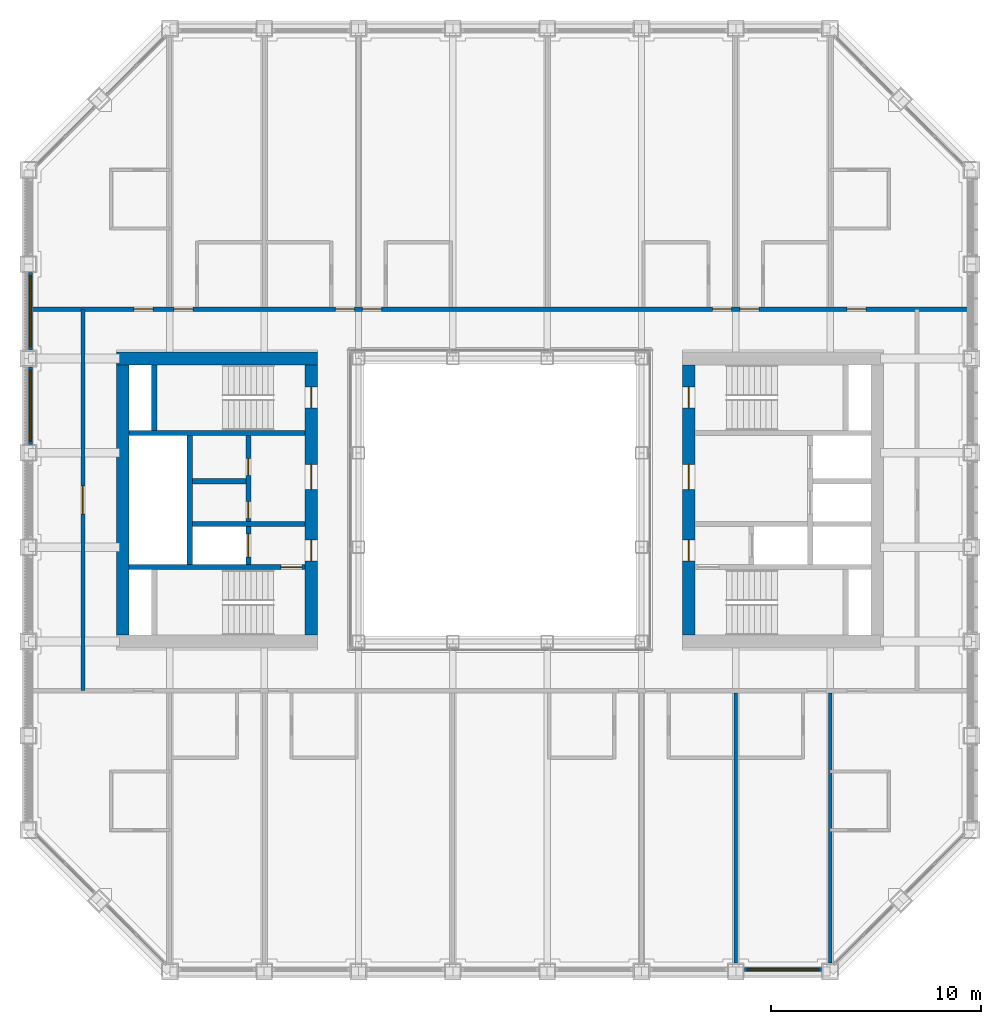
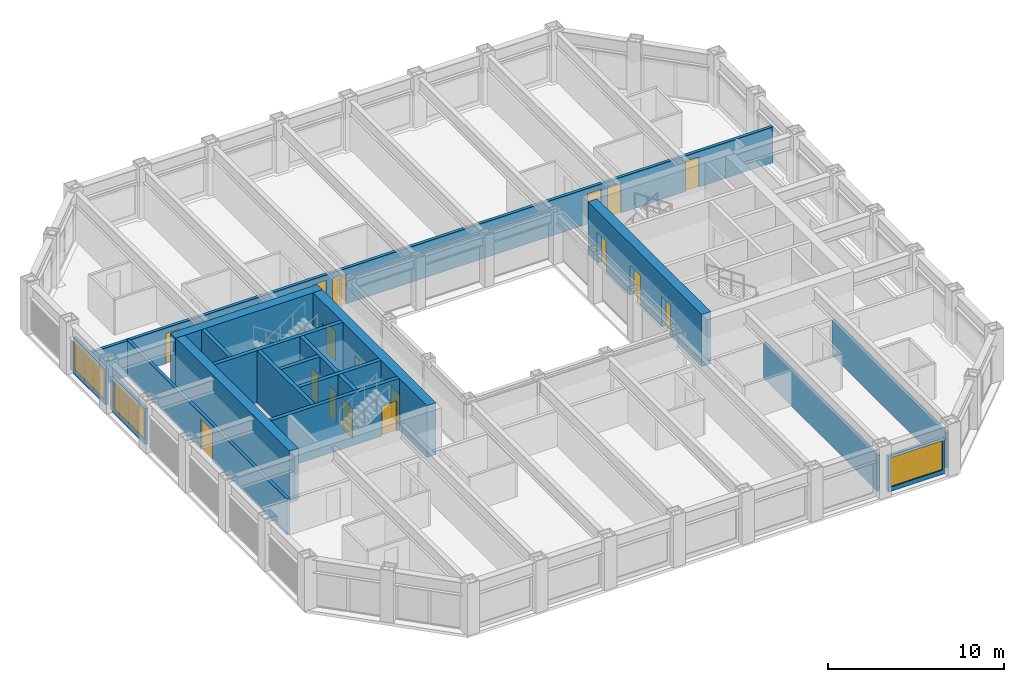
# One storey, part 11 of 17: 18 doors, 18 walls, 3 windows, 21 openings.
"""IFC4 building model written with IfcOpenShell, lengths in metres."""

from ifc_helpers import new_model, si_unit, direction, frame, frame_2d, origin, place, context, subcontext, project, spatial, rectangle, extrude, material, layer, layer_set, type_object, element, fill, save


model = new_model("IFC4")

# Units and contexts
model_context = context("Model", 3, precision=1e-05, world=origin(), true_north=direction((0.0, 1.0)))
body_context = subcontext(model_context, "Body", "Model", "MODEL_VIEW")
ifc_project = project(units=[si_unit("LENGTHUNIT", "METRE"), si_unit("AREAUNIT", "SQUARE_METRE"), si_unit("VOLUMEUNIT", "CUBIC_METRE"), si_unit("PLANEANGLEUNIT", "RADIAN"), si_unit("MASSUNIT", "GRAM", prefix="KILO")], contexts=[model_context])

# Site, building, storey
site_placement = place(None, origin())
site = spatial("IfcSite", under=ifc_project, at=site_placement, CompositionType="ELEMENT")
building_placement = place(site_placement, origin())
building = spatial("IfcBuilding", under=site, at=building_placement, Name="Msasa Ring Tower", CompositionType="ELEMENT")
storey_placement = place(building_placement, frame((0.0, 0.0, 136.39990234375)))
storey = spatial("IfcBuildingStorey", under=building, at=storey_placement, Name="L35", CompositionType="ELEMENT", Elevation=136.39990234375)

# Wall, openings, doors
ifc_material_1 = material(Name="Concrete C60/75", Category="concrete")
ifc_layer_1 = layer(ifc_material_1, 0.60009765625)
ifc_layer_set_1 = layer_set([ifc_layer_1], Name="CW2 CORE WALL 600")
wall_type_1 = type_object("IfcWallType", Name="CW2 CORE WALL 600", PredefinedType="SHEAR", material=ifc_layer_set_1)
wall_1_placement = place(storey_placement, frame((9.0, -6.449951171875, 0.0), z_axis=(0.0, 0.0, 1.0), x_axis=(0.0, 1.0, 0.0)))
wall_1 = element("IfcWall", 1, at=wall_1_placement, inside=storey, type_object=wall_type_1, Name="E core wall W L35", PredefinedType="SHEAR", context=body_context, shape_type="SweptSolid", body=[
    extrude(rectangle(XDim=12.89990234375, YDim=0.60009765625, at=frame_2d((6.449951171875, 0.0))), origin(), (0.0, 0.0, 1.0), 3.60009765625),
])
opening_1_placement = place(wall_1_placement, frame((3.550048828125, 0.0, 0.0)))
opening_1 = element("IfcOpeningElement", 2, at=opening_1_placement, cuts=wall_1, Name="Opening HB-024", PredefinedType="OPENING", context=body_context, shape_type="SweptSolid", body=[
    extrude(rectangle(XDim=1.0, YDim=2.10009765625, at=frame_2d((0.5, 1.050048828125))), frame((0.0, 0.31005859375, 0.0), z_axis=(0.0, -1.0, 0.0), x_axis=(1.0, 0.0, 0.0)), (0.0, 0.0, 1.0), 0.6201171875),
])
opening_2_placement = place(wall_1_placement, frame((6.949951171875, 0.0, 0.0)))
opening_2 = element("IfcOpeningElement", 3, at=opening_2_placement, cuts=wall_1, Name="Opening HB-019", PredefinedType="OPENING", context=body_context, shape_type="SweptSolid", body=[
    extrude(rectangle(XDim=1.199951171875, YDim=2.10009765625, at=frame_2d((0.60009765625, 1.050048828125))), frame((0.0, 0.31005859375, 0.0), z_axis=(0.0, -1.0, 0.0), x_axis=(1.0, 0.0, 0.0)), (0.0, 0.0, 1.0), 0.6201171875),
])
opening_3_placement = place(wall_1_placement, frame((10.85009765625, 0.0, 0.0)))
opening_3 = element("IfcOpeningElement", 4, at=opening_3_placement, cuts=wall_1, Name="Opening HB-016", PredefinedType="OPENING", context=body_context, shape_type="SweptSolid", body=[
    extrude(rectangle(XDim=1.0, YDim=2.10009765625, at=frame_2d((0.5, 1.050048828125))), frame((0.0, 0.31005859375, 0.0), z_axis=(0.0, -1.0, 0.0), x_axis=(1.0, 0.0, 0.0)), (0.0, 0.0, 1.0), 0.6201171875),
])
ifc_material_2 = material(Name="Timber door leaf in a steel frame", Category="steel")
door_type_1 = type_object("IfcDoorType", Name="D4 LOBBY DOOR 1000x2100", OperationType="SINGLE_SWING_LEFT", PredefinedType="DOOR", material=ifc_material_2)
door_1_placement = place(opening_1_placement, origin())
door_1 = element("IfcDoor", 5, at=door_1_placement, inside=storey, type_object=door_type_1, Name="Door L35-EFFL", OperationType="SINGLE_SWING_LEFT", OverallHeight=2.10009765625, OverallWidth=1.0, PredefinedType="DOOR", context=body_context, shape_type="SweptSolid", body=[
    extrude(rectangle(XDim=1.0, YDim=2.10009765625, at=frame_2d((0.5, 1.050048828125))), frame((0.0, 0.02490234375, 0.0), z_axis=(0.0, -1.0, 0.0), x_axis=(1.0, 0.0, 0.0)), (0.0, 0.0, 1.0), 0.050048828125),
])
fill(opening_1, door_1)
ifc_material_3 = material(Name="Timber door leaf in a steel frame", Category="steel")
door_type_2 = type_object("IfcDoorType", Name="D5 WIDE LOBBY DOOR 1200x2100", OperationType="SINGLE_SWING_LEFT", PredefinedType="DOOR", material=ifc_material_3)
door_2_placement = place(opening_2_placement, origin())
door_2 = element("IfcDoor", 6, at=door_2_placement, inside=storey, type_object=door_type_2, Name="Door L35-ELL", OperationType="SINGLE_SWING_RIGHT", OverallHeight=2.10009765625, OverallWidth=1.199951171875, PredefinedType="DOOR", context=body_context, shape_type="SweptSolid", body=[
    extrude(rectangle(XDim=1.199951171875, YDim=2.10009765625, at=frame_2d((0.60009765625, 1.050048828125))), frame((0.0, 0.02490234375, 0.0), z_axis=(0.0, -1.0, 0.0), x_axis=(1.0, 0.0, 0.0)), (0.0, 0.0, 1.0), 0.050048828125),
])
fill(opening_2, door_2)
ifc_material_4 = material(Name="Timber door leaf in a steel frame", Category="steel")
door_type_3 = type_object("IfcDoorType", Name="D6 STAIR DOOR 1000x2100", OperationType="SINGLE_SWING_LEFT", PredefinedType="DOOR", material=ifc_material_4)
door_3_placement = place(opening_3_placement, origin())
door_3 = element("IfcDoor", 7, at=door_3_placement, inside=storey, type_object=door_type_3, Name="Door L35-ESTB", OperationType="SINGLE_SWING_RIGHT", OverallHeight=2.10009765625, OverallWidth=1.0, PredefinedType="DOOR", context=body_context, shape_type="SweptSolid", body=[
    extrude(rectangle(XDim=1.0, YDim=2.10009765625, at=frame_2d((0.5, 1.050048828125))), frame((0.0, 0.02490234375, 0.0), z_axis=(0.0, -1.0, 0.0), x_axis=(1.0, 0.0, 0.0)), (0.0, 0.0, 1.0), 0.050048828125),
])
fill(opening_3, door_3)

# Wall
wall_2_placement = place(storey_placement, frame((-8.699951171875, 6.75, 0.0), z_axis=(0.0, 0.0, 1.0), x_axis=(-1.0, 0.0, 0.0)))
element("IfcWall", 8, at=wall_2_placement, inside=storey, type_object=wall_type_1, Name="W core wall N L35", PredefinedType="SHEAR", context=body_context, shape_type="SweptSolid", body=[
    extrude(rectangle(XDim=9.60009765625, YDim=0.60009765625, at=frame_2d((4.800048828125, 0.0))), origin(), (0.0, 0.0, 1.0), 3.60009765625),
])

# Wall, openings, doors
wall_3_placement = place(storey_placement, frame((-9.0, -6.449951171875, 0.0), z_axis=(0.0, 0.0, 1.0), x_axis=(0.0, 1.0, 0.0)))
wall_3 = element("IfcWall", 9, at=wall_3_placement, inside=storey, type_object=wall_type_1, Name="W core wall W L35", PredefinedType="SHEAR", context=body_context, shape_type="SweptSolid", body=[
    extrude(rectangle(XDim=12.89990234375, YDim=0.60009765625, at=frame_2d((6.449951171875, 0.0))), origin(), (0.0, 0.0, 1.0), 3.60009765625),
])
opening_4_placement = place(wall_3_placement, frame((3.550048828125, 0.0, 0.0)))
opening_4 = element("IfcOpeningElement", 10, at=opening_4_placement, cuts=wall_3, Name="Opening HB-023", PredefinedType="OPENING", context=body_context, shape_type="SweptSolid", body=[
    extrude(rectangle(XDim=1.0, YDim=2.10009765625, at=frame_2d((0.5, 1.050048828125))), frame((0.0, 0.31005859375, 0.0), z_axis=(0.0, -1.0, 0.0), x_axis=(1.0, 0.0, 0.0)), (0.0, 0.0, 1.0), 0.6201171875),
])
opening_5_placement = place(wall_3_placement, frame((6.949951171875, 0.0, 0.0)))
opening_5 = element("IfcOpeningElement", 11, at=opening_5_placement, cuts=wall_3, Name="Opening HB-018", PredefinedType="OPENING", context=body_context, shape_type="SweptSolid", body=[
    extrude(rectangle(XDim=1.199951171875, YDim=2.10009765625, at=frame_2d((0.60009765625, 1.050048828125))), frame((0.0, 0.31005859375, 0.0), z_axis=(0.0, -1.0, 0.0), x_axis=(1.0, 0.0, 0.0)), (0.0, 0.0, 1.0), 0.6201171875),
])
opening_6_placement = place(wall_3_placement, frame((10.85009765625, 0.0, 0.0)))
opening_6 = element("IfcOpeningElement", 12, at=opening_6_placement, cuts=wall_3, Name="Opening HB-015", PredefinedType="OPENING", context=body_context, shape_type="SweptSolid", body=[
    extrude(rectangle(XDim=1.0, YDim=2.10009765625, at=frame_2d((0.5, 1.050048828125))), frame((0.0, 0.31005859375, 0.0), z_axis=(0.0, -1.0, 0.0), x_axis=(1.0, 0.0, 0.0)), (0.0, 0.0, 1.0), 0.6201171875),
])
door_4_placement = place(opening_4_placement, origin())
door_4 = element("IfcDoor", 13, at=door_4_placement, inside=storey, type_object=door_type_1, Name="Door L35-WFFL", OperationType="SINGLE_SWING_LEFT", OverallHeight=2.10009765625, OverallWidth=1.0, PredefinedType="DOOR", context=body_context, shape_type="SweptSolid", body=[
    extrude(rectangle(XDim=1.0, YDim=2.10009765625, at=frame_2d((0.5, 1.050048828125))), frame((0.0, 0.02490234375, 0.0), z_axis=(0.0, -1.0, 0.0), x_axis=(1.0, 0.0, 0.0)), (0.0, 0.0, 1.0), 0.050048828125),
])
fill(opening_4, door_4)
door_5_placement = place(opening_5_placement, origin())
door_5 = element("IfcDoor", 14, at=door_5_placement, inside=storey, type_object=door_type_2, Name="Door L35-WLL", OperationType="SINGLE_SWING_RIGHT", OverallHeight=2.10009765625, OverallWidth=1.199951171875, PredefinedType="DOOR", context=body_context, shape_type="SweptSolid", body=[
    extrude(rectangle(XDim=1.199951171875, YDim=2.10009765625, at=frame_2d((0.60009765625, 1.050048828125))), frame((0.0, 0.02490234375, 0.0), z_axis=(0.0, -1.0, 0.0), x_axis=(1.0, 0.0, 0.0)), (0.0, 0.0, 1.0), 0.050048828125),
])
fill(opening_5, door_5)
door_6_placement = place(opening_6_placement, origin())
door_6 = element("IfcDoor", 15, at=door_6_placement, inside=storey, type_object=door_type_3, Name="Door L35-WSTB", OperationType="SINGLE_SWING_RIGHT", OverallHeight=2.10009765625, OverallWidth=1.0, PredefinedType="DOOR", context=body_context, shape_type="SweptSolid", body=[
    extrude(rectangle(XDim=1.0, YDim=2.10009765625, at=frame_2d((0.5, 1.050048828125))), frame((0.0, 0.02490234375, 0.0), z_axis=(0.0, -1.0, 0.0), x_axis=(1.0, 0.0, 0.0)), (0.0, 0.0, 1.0), 0.050048828125),
])
fill(opening_6, door_6)

# Wall
wall_4_placement = place(storey_placement, frame((-18.0, -6.449951171875, 0.0), z_axis=(0.0, 0.0, 1.0), x_axis=(0.0, 1.0, 0.0)))
element("IfcWall", 16, at=wall_4_placement, inside=storey, type_object=wall_type_1, Name="W core wall E L35", PredefinedType="SHEAR", context=body_context, shape_type="SweptSolid", body=[
    extrude(rectangle(XDim=12.89990234375, YDim=0.60009765625, at=frame_2d((6.449951171875, 0.0))), origin(), (0.0, 0.0, 1.0), 3.60009765625),
])

# Wall, opening, door
ifc_material_5 = material(Name="Concrete C60/75", Category="concrete")
ifc_layer_2 = layer(ifc_material_5, 0.25)
ifc_layer_set_2 = layer_set([ifc_layer_2], Name="CW4 CORE INNER WALL 250")
wall_type_2 = type_object("IfcWallType", Name="CW4 CORE INNER WALL 250", PredefinedType="SHEAR", material=ifc_layer_set_2)
wall_5_placement = place(storey_placement, frame((-9.300048828125, -3.199951171875, 0.0), z_axis=(0.0, 0.0, 1.0), x_axis=(-1.0, 0.0, 0.0)))
wall_5 = element("IfcWall", 17, at=wall_5_placement, inside=storey, type_object=wall_type_2, Name="W core wall STAIRA L35", PredefinedType="SHEAR", context=body_context, shape_type="SweptSolid", body=[
    extrude(rectangle(XDim=8.39990234375, YDim=0.25, at=frame_2d((4.199951171875, 0.0))), origin(), (0.0, 0.0, 1.0), 3.60009765625),
])
opening_7_placement = place(wall_5_placement, frame((0.14990234375, 0.0, 0.0)))
opening_7 = element("IfcOpeningElement", 18, at=opening_7_placement, cuts=wall_5, Name="Opening HB-025", PredefinedType="OPENING", context=body_context, shape_type="SweptSolid", body=[
    extrude(rectangle(XDim=1.0, YDim=2.10009765625, at=frame_2d((0.5, 1.050048828125))), frame((0.0, 0.135009765625, 0.0), z_axis=(0.0, -1.0, 0.0), x_axis=(1.0, 0.0, 0.0)), (0.0, 0.0, 1.0), 0.27001953125),
])
door_7_placement = place(opening_7_placement, origin())
door_7 = element("IfcDoor", 19, at=door_7_placement, inside=storey, type_object=door_type_3, Name="Door L35-WSTA", OperationType="SINGLE_SWING_LEFT", OverallHeight=2.10009765625, OverallWidth=1.0, PredefinedType="DOOR", context=body_context, shape_type="SweptSolid", body=[
    extrude(rectangle(XDim=1.0, YDim=2.10009765625, at=frame_2d((0.5, 1.050048828125))), frame((0.0, 0.02490234375, 0.0), z_axis=(0.0, -1.0, 0.0), x_axis=(1.0, 0.0, 0.0)), (0.0, 0.0, 1.0), 0.050048828125),
])
fill(opening_7, door_7)

# Walls
wall_6_placement = place(storey_placement, frame((-9.300048828125, 3.199951171875, 0.0), z_axis=(0.0, 0.0, 1.0), x_axis=(-1.0, 0.0, 0.0)))
element("IfcWall", 20, at=wall_6_placement, inside=storey, type_object=wall_type_2, Name="W core wall STAIRB L35", PredefinedType="SHEAR", context=body_context, shape_type="SweptSolid", body=[
    extrude(rectangle(XDim=8.39990234375, YDim=0.25, at=frame_2d((4.199951171875, 0.0))), origin(), (0.0, 0.0, 1.0), 3.60009765625),
])
wall_7_placement = place(storey_placement, frame((-16.5, 3.324951171875, 0.0), z_axis=(0.0, 0.0, 1.0), x_axis=(0.0, 1.0, 0.0)))
element("IfcWall", 21, at=wall_7_placement, inside=storey, type_object=wall_type_2, Name="W core wall RISERB L35", PredefinedType="SHEAR", context=body_context, shape_type="SweptSolid", body=[
    extrude(rectangle(XDim=3.125, YDim=0.25, at=frame_2d((1.5625, 0.0))), origin(), (0.0, 0.0, 1.0), 3.60009765625),
])
wall_8_placement = place(storey_placement, frame((-9.300048828125, -1.14990234375, 0.0), z_axis=(0.0, 0.0, 1.0), x_axis=(-1.0, 0.0, 0.0)))
element("IfcWall", 22, at=wall_8_placement, inside=storey, type_object=wall_type_2, Name="W core wall FFL L35", PredefinedType="SHEAR", context=body_context, shape_type="SweptSolid", body=[
    extrude(rectangle(XDim=5.375, YDim=0.25, at=frame_2d((2.6875, 0.0))), origin(), (0.0, 0.0, 1.0), 3.60009765625),
])

# Wall, openings, doors
wall_9_placement = place(storey_placement, frame((-12.0, -3.074951171875, 0.0), z_axis=(0.0, 0.0, 1.0), x_axis=(0.0, 1.0, 0.0)))
wall_9 = element("IfcWall", 23, at=wall_9_placement, inside=storey, type_object=wall_type_2, Name="W core wall LOBBY L35", PredefinedType="SHEAR", context=body_context, shape_type="SweptSolid", body=[
    extrude(rectangle(XDim=6.14990234375, YDim=0.25, at=frame_2d((3.074951171875, 0.0))), origin(), (0.0, 0.0, 1.0), 3.60009765625),
])
opening_8_placement = place(wall_9_placement, frame((2.199951171875, 0.0, 0.0)))
opening_8 = element("IfcOpeningElement", 24, at=opening_8_placement, cuts=wall_9, Name="Opening HB-022", PredefinedType="OPENING", context=body_context, shape_type="SweptSolid", body=[
    extrude(rectangle(XDim=0.800048828125, YDim=2.10009765625, at=frame_2d((0.39990234375, 1.050048828125))), frame((0.0, 0.135009765625, 0.0), z_axis=(0.0, -1.0, 0.0), x_axis=(1.0, 0.0, 0.0)), (0.0, 0.0, 1.0), 0.27001953125),
])
opening_9_placement = place(wall_9_placement, frame((4.25, 0.0, 0.0)))
opening_9 = element("IfcOpeningElement", 25, at=opening_9_placement, cuts=wall_9, Name="Opening HB-017", PredefinedType="OPENING", context=body_context, shape_type="SweptSolid", body=[
    extrude(rectangle(XDim=0.800048828125, YDim=2.10009765625, at=frame_2d((0.39990234375, 1.050048828125))), frame((0.0, 0.135009765625, 0.0), z_axis=(0.0, -1.0, 0.0), x_axis=(1.0, 0.0, 0.0)), (0.0, 0.0, 1.0), 0.27001953125),
])
opening_10_placement = place(wall_9_placement, frame((0.35009765625, 0.0, 0.0)))
opening_10 = element("IfcOpeningElement", 26, at=opening_10_placement, cuts=wall_9, Name="Opening LD1", PredefinedType="OPENING", context=body_context, shape_type="SweptSolid", body=[
    extrude(rectangle(XDim=1.10009765625, YDim=2.10009765625, at=frame_2d((0.550048828125, 1.050048828125))), frame((0.0, 0.135009765625, 0.0), z_axis=(0.0, -1.0, 0.0), x_axis=(1.0, 0.0, 0.0)), (0.0, 0.0, 1.0), 0.27001953125),
])
ifc_material_6 = material(Name="Timber door leaf in a steel frame", Category="steel")
door_type_4 = type_object("IfcDoorType", Name="D9 NARROW SERVICE DOOR 800x2100", OperationType="SINGLE_SWING_LEFT", PredefinedType="DOOR", material=ifc_material_6)
door_8_placement = place(opening_8_placement, origin())
door_8 = element("IfcDoor", 27, at=door_8_placement, inside=storey, type_object=door_type_4, Name="Door L35-WR1", OperationType="SINGLE_SWING_LEFT", OverallHeight=2.10009765625, OverallWidth=0.800048828125, PredefinedType="DOOR", context=body_context, shape_type="SweptSolid", body=[
    extrude(rectangle(XDim=0.800048828125, YDim=2.10009765625, at=frame_2d((0.39990234375, 1.050048828125))), frame((0.0, 0.02490234375, 0.0), z_axis=(0.0, -1.0, 0.0), x_axis=(1.0, 0.0, 0.0)), (0.0, 0.0, 1.0), 0.050048828125),
])
fill(opening_8, door_8)
door_9_placement = place(opening_9_placement, origin())
door_9 = element("IfcDoor", 28, at=door_9_placement, inside=storey, type_object=door_type_4, Name="Door L35-WR2", OperationType="SINGLE_SWING_RIGHT", OverallHeight=2.10009765625, OverallWidth=0.800048828125, PredefinedType="DOOR", context=body_context, shape_type="SweptSolid", body=[
    extrude(rectangle(XDim=0.800048828125, YDim=2.10009765625, at=frame_2d((0.39990234375, 1.050048828125))), frame((0.0, 0.02490234375, 0.0), z_axis=(0.0, -1.0, 0.0), x_axis=(1.0, 0.0, 0.0)), (0.0, 0.0, 1.0), 0.050048828125),
])
fill(opening_9, door_9)
ifc_material_7 = material(Name="Stainless steel lift landing door", Category="steel")
door_type_5 = type_object("IfcDoorType", Name="LD1 LIFT LANDING DOOR 1100x2100", OperationType="DOUBLE_DOOR_SLIDING", PredefinedType="DOOR", material=ifc_material_7)
door_10_placement = place(opening_10_placement, origin())
door_10 = element("IfcDoor", 29, at=door_10_placement, inside=storey, type_object=door_type_5, Name="Lift landing door FL-W L35", OperationType="DOUBLE_DOOR_SLIDING", OverallHeight=2.10009765625, OverallWidth=1.10009765625, PredefinedType="DOOR", context=body_context, shape_type="SweptSolid", body=[
    extrude(rectangle(XDim=1.10009765625, YDim=2.10009765625, at=frame_2d((0.550048828125, 1.050048828125))), frame((0.0, 0.02490234375, 0.0), z_axis=(0.0, -1.0, 0.0), x_axis=(1.0, 0.0, 0.0)), (0.0, 0.0, 1.0), 0.050048828125),
])
fill(opening_10, door_10)

# Walls
wall_10_placement = place(storey_placement, frame((-14.800048828125, -3.074951171875, 0.0), z_axis=(0.0, 0.0, 1.0), x_axis=(0.0, 1.0, 0.0)))
element("IfcWall", 30, at=wall_10_placement, inside=storey, type_object=wall_type_2, Name="W core wall SHAFT L35", PredefinedType="SHEAR", context=body_context, shape_type="SweptSolid", body=[
    extrude(rectangle(XDim=6.14990234375, YDim=0.25, at=frame_2d((3.074951171875, 0.0))), origin(), (0.0, 0.0, 1.0), 3.60009765625),
])
wall_11_placement = place(storey_placement, frame((-12.125, 0.89990234375, 0.0), z_axis=(0.0, 0.0, 1.0), x_axis=(-1.0, 0.0, 0.0)))
element("IfcWall", 31, at=wall_11_placement, inside=storey, type_object=wall_type_2, Name="W core wall LIFT1 L35", PredefinedType="SHEAR", context=body_context, shape_type="SweptSolid", body=[
    extrude(rectangle(XDim=2.550048828125, YDim=0.25, at=frame_2d((1.27490234375, 0.0))), origin(), (0.0, 0.0, 1.0), 3.60009765625),
])

# Wall, opening, window
ifc_material_8 = material(Name="Terracotta rainscreen on blockwork", Category="masonry")
ifc_layer_3 = layer(ifc_material_8, 0.199951171875)
ifc_layer_set_3 = layer_set([ifc_layer_3], Name="FW1 TERRACOTTA-LINED INFILL BAY WALL 200")
wall_type_3 = type_object("IfcWallType", Name="FW1 TERRACOTTA-LINED INFILL BAY WALL 200", PredefinedType="SOLIDWALL", material=ifc_layer_set_3)
wall_12_placement = place(storey_placement, frame((11.655029296875, -22.39990234375, 0.0), z_axis=(0.0, 0.0, 1.0), x_axis=(1.0, 0.0, 0.0)))
wall_12 = element("IfcWall", 32, at=wall_12_placement, inside=storey, type_object=wall_type_3, Name="Infill bay wall S L35 06", PredefinedType="SOLIDWALL", context=body_context, shape_type="SweptSolid", body=[
    extrude(rectangle(XDim=3.68994140625, YDim=0.199951171875, at=frame_2d((1.844970703125, 0.0))), origin(), (0.0, 0.0, 1.0), 2.47900390625),
])
opening_11_placement = place(wall_12_placement, frame((0.14501953125, 0.0, 0.300048828125)))
opening_11 = element("IfcOpeningElement", 33, at=opening_11_placement, cuts=wall_12, Name="Opening WN2", PredefinedType="OPENING", context=body_context, shape_type="SweptSolid", body=[
    extrude(rectangle(XDim=3.39990234375, YDim=2.029052734375, at=frame_2d((1.699951171875, 1.0146484375))), frame((0.0, 0.10986328125, 0.0), z_axis=(0.0, -1.0, 0.0), x_axis=(1.0, 0.0, 0.0)), (0.0, 0.0, 1.0), 0.219970703125),
])
ifc_material_9 = material(Name="Aluminium frame with clear glass", Category="aluminium")
window_type = type_object("IfcWindowType", Name="WN2 GUEST ROOM WINDOW 3400x2029", PartitioningType="SINGLE_PANEL", PredefinedType="WINDOW", material=ifc_material_9)
window_1_placement = place(opening_11_placement, origin())
window_1 = element("IfcWindow", 34, at=window_1_placement, inside=storey, type_object=window_type, Name="Window S L35 06", OverallHeight=2.029052734375, OverallWidth=3.39990234375, PartitioningType="SINGLE_PANEL", PredefinedType="WINDOW", context=body_context, shape_type="SweptSolid", body=[
    extrude(rectangle(XDim=3.39990234375, YDim=2.029052734375, at=frame_2d((1.699951171875, 1.0146484375))), frame((0.0, 0.030029296875, 0.0), z_axis=(0.0, -1.0, 0.0), x_axis=(1.0, 0.0, 0.0)), (0.0, 0.0, 1.0), 0.06005859375),
])
fill(opening_11, window_1)

wall_13_placement = place(storey_placement, frame((-22.39990234375, 2.655029296875, 0.0), z_axis=(0.0, 0.0, 1.0), x_axis=(0.0, 1.0, 0.0)))
wall_13 = element("IfcWall", 35, at=wall_13_placement, inside=storey, type_object=wall_type_3, Name="Infill bay wall W L35 31", PredefinedType="SOLIDWALL", context=body_context, shape_type="SweptSolid", body=[
    extrude(rectangle(XDim=3.68994140625, YDim=0.199951171875, at=frame_2d((1.844970703125, 0.0))), origin(), (0.0, 0.0, 1.0), 2.47900390625),
])
opening_12_placement = place(wall_13_placement, frame((0.14501953125, 0.0, 0.300048828125)))
opening_12 = element("IfcOpeningElement", 36, at=opening_12_placement, cuts=wall_13, Name="Opening WN2", PredefinedType="OPENING", context=body_context, shape_type="SweptSolid", body=[
    extrude(rectangle(XDim=3.39990234375, YDim=2.029052734375, at=frame_2d((1.699951171875, 1.0146484375))), frame((0.0, 0.10986328125, 0.0), z_axis=(0.0, -1.0, 0.0), x_axis=(1.0, 0.0, 0.0)), (0.0, 0.0, 1.0), 0.219970703125),
])
window_2_placement = place(opening_12_placement, origin())
window_2 = element("IfcWindow", 37, at=window_2_placement, inside=storey, type_object=window_type, Name="Window W L35 31", OverallHeight=2.029052734375, OverallWidth=3.39990234375, PartitioningType="SINGLE_PANEL", PredefinedType="WINDOW", context=body_context, shape_type="SweptSolid", body=[
    extrude(rectangle(XDim=3.39990234375, YDim=2.029052734375, at=frame_2d((1.699951171875, 1.0146484375))), frame((0.0, 0.030029296875, 0.0), z_axis=(0.0, -1.0, 0.0), x_axis=(1.0, 0.0, 0.0)), (0.0, 0.0, 1.0), 0.06005859375),
])
fill(opening_12, window_2)

wall_14_placement = place(storey_placement, frame((-22.39990234375, 7.155029296875, 0.0), z_axis=(0.0, 0.0, 1.0), x_axis=(0.0, 1.0, 0.0)))
wall_14 = element("IfcWall", 38, at=wall_14_placement, inside=storey, type_object=wall_type_3, Name="Infill bay wall W L35 32", PredefinedType="SOLIDWALL", context=body_context, shape_type="SweptSolid", body=[
    extrude(rectangle(XDim=3.68994140625, YDim=0.199951171875, at=frame_2d((1.844970703125, 0.0))), origin(), (0.0, 0.0, 1.0), 2.47900390625),
])
opening_13_placement = place(wall_14_placement, frame((0.14501953125, 0.0, 0.300048828125)))
opening_13 = element("IfcOpeningElement", 39, at=opening_13_placement, cuts=wall_14, Name="Opening WN2", PredefinedType="OPENING", context=body_context, shape_type="SweptSolid", body=[
    extrude(rectangle(XDim=3.39990234375, YDim=2.029052734375, at=frame_2d((1.699951171875, 1.0146484375))), frame((0.0, 0.10986328125, 0.0), z_axis=(0.0, -1.0, 0.0), x_axis=(1.0, 0.0, 0.0)), (0.0, 0.0, 1.0), 0.219970703125),
])
window_3_placement = place(opening_13_placement, origin())
window_3 = element("IfcWindow", 40, at=window_3_placement, inside=storey, type_object=window_type, Name="Window W L35 32", OverallHeight=2.029052734375, OverallWidth=3.39990234375, PartitioningType="SINGLE_PANEL", PredefinedType="WINDOW", context=body_context, shape_type="SweptSolid", body=[
    extrude(rectangle(XDim=3.39990234375, YDim=2.029052734375, at=frame_2d((1.699951171875, 1.0146484375))), frame((0.0, 0.030029296875, 0.0), z_axis=(0.0, -1.0, 0.0), x_axis=(1.0, 0.0, 0.0)), (0.0, 0.0, 1.0), 0.06005859375),
])
fill(opening_13, window_3)

# Wall, openings, doors
ifc_material_10 = material(Name="Concrete blockwork", Category="masonry")
ifc_layer_4 = layer(ifc_material_10, 0.199951171875)
ifc_layer_set_4 = layer_set([ifc_layer_4], Name="PT1 CORRIDOR WALL 200")
wall_type_4 = type_object("IfcWallType", Name="PT1 CORRIDOR WALL 200", PredefinedType="PARTITIONING", material=ifc_layer_set_4)
wall_15_placement = place(storey_placement, frame((-22.300048828125, 9.10009765625, 0.0), z_axis=(0.0, 0.0, 1.0), x_axis=(1.0, 0.0, 0.0)))
wall_15 = element("IfcWall", 41, at=wall_15_placement, inside=storey, type_object=wall_type_4, Name="Corridor wall L35-CORRN0", PredefinedType="PARTITIONING", context=body_context, shape_type="SweptSolid", body=[
    extrude(rectangle(XDim=44.60009765625, YDim=0.199951171875, at=frame_2d((22.300048828125, 0.0))), origin(), (0.0, 0.0, 1.0), 2.473388671875),
])
opening_14_placement = place(wall_15_placement, frame((6.75, 0.0, 0.0)))
opening_14 = element("IfcOpeningElement", 42, at=opening_14_placement, cuts=wall_15, Name="Opening HB-009", PredefinedType="OPENING", context=body_context, shape_type="SweptSolid", body=[
    extrude(rectangle(XDim=0.89990234375, YDim=2.10009765625, at=frame_2d((0.449951171875, 1.050048828125))), frame((0.0, 0.10986328125, 0.0), z_axis=(0.0, -1.0, 0.0), x_axis=(1.0, 0.0, 0.0)), (0.0, 0.0, 1.0), 0.219970703125),
])
opening_15_placement = place(wall_15_placement, frame((14.449951171875, 0.0, 0.0)))
opening_15 = element("IfcOpeningElement", 43, at=opening_15_placement, cuts=wall_15, Name="Opening HB-010", PredefinedType="OPENING", context=body_context, shape_type="SweptSolid", body=[
    extrude(rectangle(XDim=0.89990234375, YDim=2.10009765625, at=frame_2d((0.449951171875, 1.050048828125))), frame((0.0, 0.10986328125, 0.0), z_axis=(0.0, -1.0, 0.0), x_axis=(1.0, 0.0, 0.0)), (0.0, 0.0, 1.0), 0.219970703125),
])
opening_16_placement = place(wall_15_placement, frame((15.75, 0.0, 0.0)))
opening_16 = element("IfcOpeningElement", 44, at=opening_16_placement, cuts=wall_15, Name="Opening HB-011", PredefinedType="OPENING", context=body_context, shape_type="SweptSolid", body=[
    extrude(rectangle(XDim=0.89990234375, YDim=2.10009765625, at=frame_2d((0.449951171875, 1.050048828125))), frame((0.0, 0.10986328125, 0.0), z_axis=(0.0, -1.0, 0.0), x_axis=(1.0, 0.0, 0.0)), (0.0, 0.0, 1.0), 0.219970703125),
])
opening_17_placement = place(wall_15_placement, frame((32.449951171875, 0.0, 0.0)))
opening_17 = element("IfcOpeningElement", 45, at=opening_17_placement, cuts=wall_15, Name="Opening HB-012", PredefinedType="OPENING", context=body_context, shape_type="SweptSolid", body=[
    extrude(rectangle(XDim=0.89990234375, YDim=2.10009765625, at=frame_2d((0.449951171875, 1.050048828125))), frame((0.0, 0.10986328125, 0.0), z_axis=(0.0, -1.0, 0.0), x_axis=(1.0, 0.0, 0.0)), (0.0, 0.0, 1.0), 0.219970703125),
])
opening_18_placement = place(wall_15_placement, frame((33.75, 0.0, 0.0)))
opening_18 = element("IfcOpeningElement", 46, at=opening_18_placement, cuts=wall_15, Name="Opening HB-013", PredefinedType="OPENING", context=body_context, shape_type="SweptSolid", body=[
    extrude(rectangle(XDim=0.89990234375, YDim=2.10009765625, at=frame_2d((0.449951171875, 1.050048828125))), frame((0.0, 0.10986328125, 0.0), z_axis=(0.0, -1.0, 0.0), x_axis=(1.0, 0.0, 0.0)), (0.0, 0.0, 1.0), 0.219970703125),
])
opening_19_placement = place(wall_15_placement, frame((38.85009765625, 0.0, 0.0)))
opening_19 = element("IfcOpeningElement", 47, at=opening_19_placement, cuts=wall_15, Name="Opening HB-014", PredefinedType="OPENING", context=body_context, shape_type="SweptSolid", body=[
    extrude(rectangle(XDim=0.89990234375, YDim=2.10009765625, at=frame_2d((0.449951171875, 1.050048828125))), frame((0.0, 0.10986328125, 0.0), z_axis=(0.0, -1.0, 0.0), x_axis=(1.0, 0.0, 0.0)), (0.0, 0.0, 1.0), 0.219970703125),
])
opening_20_placement = place(wall_15_placement, frame((4.85009765625, 0.0, 0.0)))
opening_20 = element("IfcOpeningElement", 48, at=opening_20_placement, cuts=wall_15, Name="Opening HB-008", PredefinedType="OPENING", context=body_context, shape_type="SweptSolid", body=[
    extrude(rectangle(XDim=0.89990234375, YDim=2.10009765625, at=frame_2d((0.449951171875, 1.050048828125))), frame((0.0, 0.10986328125, 0.0), z_axis=(0.0, -1.0, 0.0), x_axis=(1.0, 0.0, 0.0)), (0.0, 0.0, 1.0), 0.219970703125),
])
ifc_material_11 = material(Name="Timber door leaf in a steel frame", Category="steel")
door_type_6 = type_object("IfcDoorType", Name="D1 SINGLE DOOR TO CORRIDOR 900x2100", OperationType="SINGLE_SWING_LEFT", PredefinedType="DOOR", material=ifc_material_11)
door_11_placement = place(opening_14_placement, origin())
door_11 = element("IfcDoor", 49, at=door_11_placement, inside=storey, type_object=door_type_6, Name="Door L35-GN00", OperationType="SINGLE_SWING_LEFT", OverallHeight=2.10009765625, OverallWidth=0.89990234375, PredefinedType="DOOR", context=body_context, shape_type="SweptSolid", body=[
    extrude(rectangle(XDim=0.89990234375, YDim=2.10009765625, at=frame_2d((0.449951171875, 1.050048828125))), frame((0.0, 0.02490234375, 0.0), z_axis=(0.0, -1.0, 0.0), x_axis=(1.0, 0.0, 0.0)), (0.0, 0.0, 1.0), 0.050048828125),
])
fill(opening_14, door_11)
door_12_placement = place(opening_15_placement, origin())
door_12 = element("IfcDoor", 50, at=door_12_placement, inside=storey, type_object=door_type_6, Name="Door L35-GN01", OperationType="SINGLE_SWING_LEFT", OverallHeight=2.10009765625, OverallWidth=0.89990234375, PredefinedType="DOOR", context=body_context, shape_type="SweptSolid", body=[
    extrude(rectangle(XDim=0.89990234375, YDim=2.10009765625, at=frame_2d((0.449951171875, 1.050048828125))), frame((0.0, 0.02490234375, 0.0), z_axis=(0.0, -1.0, 0.0), x_axis=(1.0, 0.0, 0.0)), (0.0, 0.0, 1.0), 0.050048828125),
])
fill(opening_15, door_12)
door_13_placement = place(opening_16_placement, origin())
door_13 = element("IfcDoor", 51, at=door_13_placement, inside=storey, type_object=door_type_6, Name="Door L35-GN02", OperationType="SINGLE_SWING_LEFT", OverallHeight=2.10009765625, OverallWidth=0.89990234375, PredefinedType="DOOR", context=body_context, shape_type="SweptSolid", body=[
    extrude(rectangle(XDim=0.89990234375, YDim=2.10009765625, at=frame_2d((0.449951171875, 1.050048828125))), frame((0.0, 0.02490234375, 0.0), z_axis=(0.0, -1.0, 0.0), x_axis=(1.0, 0.0, 0.0)), (0.0, 0.0, 1.0), 0.050048828125),
])
fill(opening_16, door_13)
door_14_placement = place(opening_17_placement, origin())
door_14 = element("IfcDoor", 52, at=door_14_placement, inside=storey, type_object=door_type_6, Name="Door L35-GN03", OperationType="SINGLE_SWING_RIGHT", OverallHeight=2.10009765625, OverallWidth=0.89990234375, PredefinedType="DOOR", context=body_context, shape_type="SweptSolid", body=[
    extrude(rectangle(XDim=0.89990234375, YDim=2.10009765625, at=frame_2d((0.449951171875, 1.050048828125))), frame((0.0, 0.02490234375, 0.0), z_axis=(0.0, -1.0, 0.0), x_axis=(1.0, 0.0, 0.0)), (0.0, 0.0, 1.0), 0.050048828125),
])
fill(opening_17, door_14)
door_15_placement = place(opening_18_placement, origin())
door_15 = element("IfcDoor", 53, at=door_15_placement, inside=storey, type_object=door_type_6, Name="Door L35-GN04", OperationType="SINGLE_SWING_RIGHT", OverallHeight=2.10009765625, OverallWidth=0.89990234375, PredefinedType="DOOR", context=body_context, shape_type="SweptSolid", body=[
    extrude(rectangle(XDim=0.89990234375, YDim=2.10009765625, at=frame_2d((0.449951171875, 1.050048828125))), frame((0.0, 0.02490234375, 0.0), z_axis=(0.0, -1.0, 0.0), x_axis=(1.0, 0.0, 0.0)), (0.0, 0.0, 1.0), 0.050048828125),
])
fill(opening_18, door_15)
ifc_material_12 = material(Name="Timber door leaf in a steel frame", Category="steel")
door_type_7 = type_object("IfcDoorType", Name="D2 ENTRANCE DOOR 900x2100", OperationType="SINGLE_SWING_LEFT", PredefinedType="DOOR", material=ifc_material_12)
door_16_placement = place(opening_19_placement, origin())
door_16 = element("IfcDoor", 54, at=door_16_placement, inside=storey, type_object=door_type_7, Name="Door L35-CSNE", OperationType="SINGLE_SWING_RIGHT", OverallHeight=2.10009765625, OverallWidth=0.89990234375, PredefinedType="DOOR", context=body_context, shape_type="SweptSolid", body=[
    extrude(rectangle(XDim=0.89990234375, YDim=2.10009765625, at=frame_2d((0.449951171875, 1.050048828125))), frame((0.0, 0.02490234375, 0.0), z_axis=(0.0, -1.0, 0.0), x_axis=(1.0, 0.0, 0.0)), (0.0, 0.0, 1.0), 0.050048828125),
])
fill(opening_19, door_16)
door_17_placement = place(opening_20_placement, origin())
door_17 = element("IfcDoor", 55, at=door_17_placement, inside=storey, type_object=door_type_7, Name="Door L35-CSNW", OperationType="SINGLE_SWING_LEFT", OverallHeight=2.10009765625, OverallWidth=0.89990234375, PredefinedType="DOOR", context=body_context, shape_type="SweptSolid", body=[
    extrude(rectangle(XDim=0.89990234375, YDim=2.10009765625, at=frame_2d((0.449951171875, 1.050048828125))), frame((0.0, 0.02490234375, 0.0), z_axis=(0.0, -1.0, 0.0), x_axis=(1.0, 0.0, 0.0)), (0.0, 0.0, 1.0), 0.050048828125),
])
fill(opening_20, door_17)

# Wall, opening, door
wall_16_placement = place(storey_placement, frame((-19.89990234375, -9.10009765625, 0.0), z_axis=(0.0, 0.0, 1.0), x_axis=(0.0, 1.0, 0.0)))
wall_16 = element("IfcWall", 56, at=wall_16_placement, inside=storey, type_object=wall_type_4, Name="Corridor wall L35-STRW", PredefinedType="PARTITIONING", context=body_context, shape_type="SweptSolid", body=[
    extrude(rectangle(XDim=18.2001953125, YDim=0.199951171875, at=frame_2d((9.10009765625, 0.0))), origin(), (0.0, 0.0, 1.0), 2.473388671875),
])
opening_21_placement = place(wall_16_placement, frame((8.425048828125, 0.0, 0.0)))
opening_21 = element("IfcOpeningElement", 57, at=opening_21_placement, cuts=wall_16, Name="Opening HB-020", PredefinedType="OPENING", context=body_context, shape_type="SweptSolid", body=[
    extrude(rectangle(XDim=1.35009765625, YDim=2.10009765625, at=frame_2d((0.675048828125, 1.050048828125))), frame((0.0, 0.10986328125, 0.0), z_axis=(0.0, -1.0, 0.0), x_axis=(1.0, 0.0, 0.0)), (0.0, 0.0, 1.0), 0.219970703125),
])
ifc_material_13 = material(Name="Timber door leaf in a steel frame", Category="steel")
door_type_8 = type_object("IfcDoorType", Name="D23 HOUSEKEEPING UNEQUAL PAIR OF DOORS 1350x2100", OperationType="SINGLE_SWING_LEFT", PredefinedType="DOOR", material=ifc_material_13)
door_18_placement = place(opening_21_placement, origin())
door_18 = element("IfcDoor", 58, at=door_18_placement, inside=storey, type_object=door_type_8, Name="Door L35-HKW", OperationType="SINGLE_SWING_LEFT", OverallHeight=2.10009765625, OverallWidth=1.35009765625, PredefinedType="DOOR", context=body_context, shape_type="SweptSolid", body=[
    extrude(rectangle(XDim=1.35009765625, YDim=2.10009765625, at=frame_2d((0.675048828125, 1.050048828125))), frame((0.0, 0.02490234375, 0.0), z_axis=(0.0, -1.0, 0.0), x_axis=(1.0, 0.0, 0.0)), (0.0, 0.0, 1.0), 0.050048828125),
])
fill(opening_21, door_18)

# Walls
ifc_material_14 = material(Name="Twin steel studs, two layers of acoustic board each face, mineral wool", Category="steel")
ifc_layer_5 = layer(ifc_material_14, 0.175048828125)
ifc_layer_set_5 = layer_set([ifc_layer_5], Name="PT5 GUEST ROOM SEPARATING WALL 175")
wall_type_5 = type_object("IfcWallType", Name="PT5 GUEST ROOM SEPARATING WALL 175", PredefinedType="PARTITIONING", material=ifc_layer_set_5)
for number, where, z_axis, x_axis, name in (
    (59, (11.25, -22.10009765625, 0.0), (0.0, 0.0, 1.0), (0.0, 1.0, 0.0), "Partition L35-PWS+11.25"),
    (60, (15.75, -22.10009765625, 0.0), (0.0, 0.0, 1.0), (0.0, 1.0, 0.0), "Partition L35-PWS+15.75"),
):
    element("IfcWall", number, at=place(storey_placement, frame(where, z_axis=z_axis, x_axis=x_axis)), inside=storey, type_object=wall_type_5, Name=name, PredefinedType="PARTITIONING", context=body_context, shape_type="SweptSolid", body=[
        extrude(rectangle(XDim=12.900146484375, YDim=0.175048828125, at=frame_2d((6.4501953125, 0.0))), origin(), (0.0, 0.0, 1.0), 2.473388671875),
    ])

save(model, "model.ifc")
